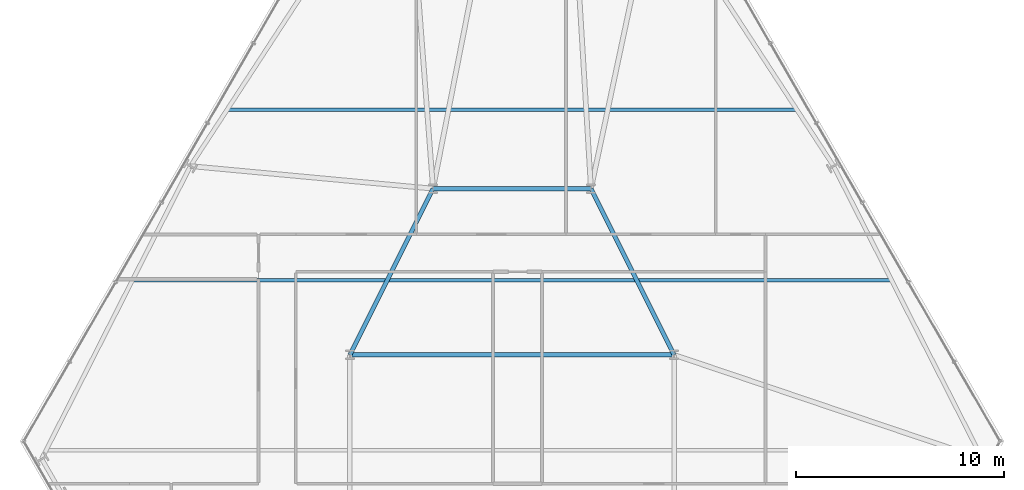
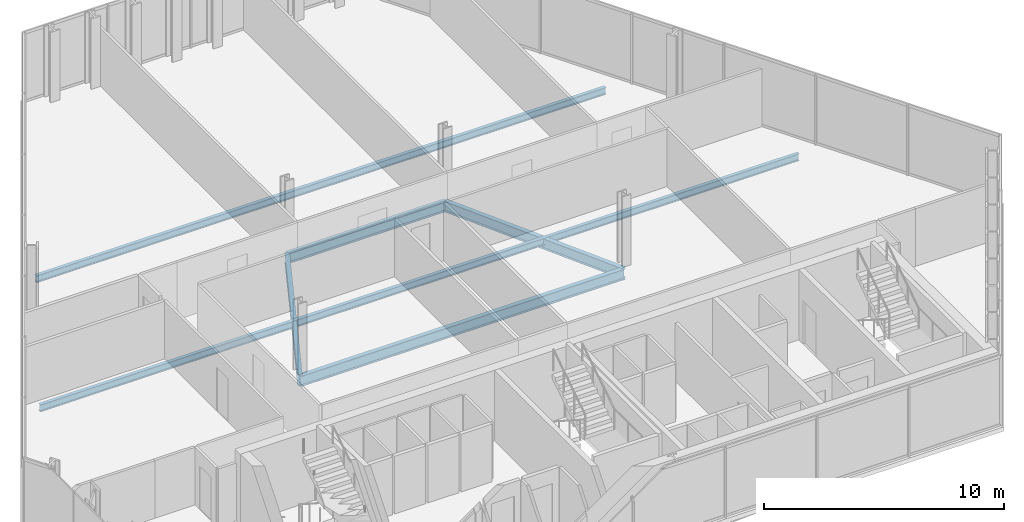
# One storey, part 13 of 32: 6 beams.
"""IFC4 building model written with IfcOpenShell, lengths in metres."""

import ifcopenshell
import ifcopenshell.guid

model = None  # the IFC model being written
_history = None  # IfcOwnerHistory: only IFC2X3 demands one
_inside = {}  # id of a spatial element -> (the spatial element, [elements in it])
_under = {}  # id of a project, library or spatial element -> (it, [spatial elements below it])
_declared = {}  # id of a project -> (the project, [libraries it declares])
_typed = {}  # id of a type object -> (the type object, [elements of that type])
_made_of = {}  # id of a material, layer set ... -> (it, [elements and type objects made of it])


def new_model(schema):
    """Start an empty IFC model of exactly this schema.

    Asked for "IFC4X3", IfcOpenShell would pick the latest addendum, in which some entities
    have other attributes; the version numbers below select the first issue.
    IFC2X3 requires an IfcOwnerHistory on every rooted entity: one is made here for all.
    """
    global model, _history
    if schema == "IFC4X3":
        model = ifcopenshell.file(schema_version=(4, 3, 0, 0))
    else:
        model = ifcopenshell.file(schema=schema)
    _inside.clear()
    _under.clear()
    _declared.clear()
    _typed.clear()
    _made_of.clear()
    _history = None
    if model.schema == "IFC2X3":
        org = make("IfcOrganization", Name="unknown")
        user = make(
            "IfcPersonAndOrganization",
            ThePerson=make("IfcPerson", FamilyName="unknown"),
            TheOrganization=org,
        )
        app = make(
            "IfcApplication",
            ApplicationDeveloper=org,
            Version="unknown",
            ApplicationFullName="unknown",
            ApplicationIdentifier="unknown",
        )
        _history = make(
            "IfcOwnerHistory",
            OwningUser=user,
            OwningApplication=app,
            ChangeAction="ADDED",
            CreationDate=0,
        )
    return model


def make(cls, **values):
    """One entity of the class cls with the attributes given. An attribute that is None is left unset."""
    return model.create_entity(
        cls, **{name: value for name, value in values.items() if value is not None}
    )


def rooted(cls, **values):
    """An entity with a GlobalId (a new one), such as an element, a storey or a relation."""
    return make(cls, GlobalId=ifcopenshell.guid.new(), OwnerHistory=_history, **values)


def si_unit(unit_type, name, prefix=None):
    """IfcSIUnit, for example si_unit("LENGTHUNIT", "METRE", prefix="MILLI")."""
    return make("IfcSIUnit", UnitType=unit_type, Prefix=prefix, Name=name)


def assignment(units):
    """IfcUnitAssignment: the units of a project."""
    return None if units is None else make("IfcUnitAssignment", Units=units)


def point(xyz):
    """IfcCartesianPoint."""
    return None if xyz is None else make("IfcCartesianPoint", Coordinates=xyz)


def direction(xyz):
    """IfcDirection."""
    return None if xyz is None else make("IfcDirection", DirectionRatios=xyz)


def frame(location, z_axis=None, x_axis=None):
    """IfcAxis2Placement3D, a coordinate frame: its origin and axes. An axis left out is left unset."""
    return make(
        "IfcAxis2Placement3D",
        Location=point(location),
        Axis=direction(z_axis),
        RefDirection=direction(x_axis),
    )


def frame_2d(location, x_axis=None):
    """IfcAxis2Placement2D, a coordinate frame in the plane: its origin and x axis."""
    return make(
        "IfcAxis2Placement2D", Location=point(location), RefDirection=direction(x_axis)
    )


def origin():
    """The frame at (0, 0, 0) with its axes left unset."""
    return frame((0.0, 0.0, 0.0))


def origin_2d():
    """The frame at (0, 0) in the plane with its x axis left unset."""
    return frame_2d((0.0, 0.0))


def place(relative_to, where):
    """IfcLocalPlacement: puts the frame where relative to a parent placement (None: the world)."""
    return make(
        "IfcLocalPlacement", PlacementRelTo=relative_to, RelativePlacement=where
    )


def context(
    kind, dimensions, precision=None, world=None, true_north=None, identifier=None
):
    """IfcGeometricRepresentationContext, for example the 3D "Model" context."""
    return make(
        "IfcGeometricRepresentationContext",
        ContextIdentifier=identifier,
        ContextType=kind,
        CoordinateSpaceDimension=dimensions,
        Precision=precision,
        WorldCoordinateSystem=world,
        TrueNorth=true_north,
    )


def subcontext(parent, identifier, kind, view, scale=None):
    """IfcGeometricRepresentationSubContext, for example "Body" below "Model"."""
    return make(
        "IfcGeometricRepresentationSubContext",
        ContextIdentifier=identifier,
        ContextType=kind,
        ParentContext=parent,
        TargetScale=scale,
        TargetView=view,
    )


def project(units=None, contexts=None):
    """IfcProject with its units and contexts."""
    return rooted(
        "IfcProject",
        Name="project",
        RepresentationContexts=contexts,
        UnitsInContext=assignment(units),
    )


def spatial(cls, under=None, at=None, **own):
    """A site, building, storey or space (cls), placed at a placement, below another one or the project."""
    s = rooted(cls, ObjectPlacement=at, **own)
    if under is not None:
        _under.setdefault(under.id(), (under, []))[1].append(s)
    return s


def profile(cls, at=None, kind="AREA", **sizes):
    """A parametric profile (cls). Its sizes go by their IFC names, for example OverallWidth=200.0."""
    return make(cls, ProfileType=kind, Position=at, **sizes)


def i_section(**sizes):
    """IfcIShapeProfileDef."""
    return profile("IfcIShapeProfileDef", **sizes)


def extrude(swept, where, along, depth):
    """IfcExtrudedAreaSolid: the profile swept, set in the frame where, extruded along a direction by depth."""
    return make(
        "IfcExtrudedAreaSolid",
        SweptArea=swept,
        Position=where,
        ExtrudedDirection=direction(along),
        Depth=depth,
    )


def shape(context_of_items, identifier, shape_type, items):
    """IfcShapeRepresentation: the items that make up one representation, for example the "Body"."""
    return make(
        "IfcShapeRepresentation",
        ContextOfItems=context_of_items,
        RepresentationIdentifier=identifier,
        RepresentationType=shape_type,
        Items=items,
    )


def material(Name=None, Category=None):
    """IfcMaterial."""
    return make("IfcMaterial", Name=Name, Category=Category)


def material_profile(
    of_material, cross_section, Name=None, Category=None, Priority=None
):
    """IfcMaterialProfile: a cross section and its material."""
    return make(
        "IfcMaterialProfile",
        Name=Name,
        Material=of_material,
        Profile=cross_section,
        Priority=Priority,
        Category=Category,
    )


def profile_set(profiles, Name=None, composite=None):
    """IfcMaterialProfileSet."""
    return make(
        "IfcMaterialProfileSet",
        Name=Name,
        MaterialProfiles=profiles,
        CompositeProfile=composite,
    )


def made_of(thing, what):
    """Note that an element or type object is made of a material, layer set ...; save() writes the relation."""
    if what is not None:
        _made_of.setdefault(what.id(), (what, []))[1].append(thing)
    return thing


def type_object(cls, material=None, **own):
    """A type object (cls), such as IfcWallType, which elements share."""
    return made_of(rooted(cls, **own), material)


def element(
    cls,
    number,
    at=None,
    inside=None,
    cuts=None,
    type_object=None,
    material=None,
    context=None,
    identifier="Body",
    shape_type=None,
    held_by="IfcProductDefinitionShape",
    body=None,
    shapes=None,
    **own,
):
    """One element of the class cls, such as IfcWall. Its Tag is "e" and its number.

    at: its placement. inside: the storey or other place that contains it. cuts: it is an
    opening in that element (IfcRelVoidsElement). A single representation is given by context,
    identifier, shape_type and body (its items); several are given by shapes. held_by: the class
    of the entity that holds the representations. save() writes the other relations.
    """
    e = rooted(cls, Tag="e%d" % number, ObjectPlacement=at, **own)
    if body is not None:
        shapes = [shape(context, identifier, shape_type, body)]
    if shapes is not None:
        e.Representation = make(held_by, Representations=shapes)
    if inside is not None:
        _inside.setdefault(inside.id(), (inside, []))[1].append(e)
    if cuts is not None:
        rooted(
            "IfcRelVoidsElement", RelatingBuildingElement=cuts, RelatedOpeningElement=e
        )
    if type_object is not None:
        _typed.setdefault(type_object.id(), (type_object, []))[1].append(e)
    return made_of(e, material)


def aggregate(whole, parts):
    """IfcRelAggregates: a whole, such as a stair, and the parts it consists of."""
    return rooted("IfcRelAggregates", RelatingObject=whole, RelatedObjects=parts)


def save(model, path):
    """Write the relations noted so far, then the file.

    IfcRelAggregates (storeys below a building ...), IfcRelContainedInSpatialStructure (elements
    in a storey), IfcRelDefinesByType, IfcRelAssociatesMaterial and IfcRelDeclares: one each for
    every whole, place, type object, material and project.
    """
    for whole, parts in _under.values():
        aggregate(whole, parts)
    for where, things in _inside.values():
        rooted(
            "IfcRelContainedInSpatialStructure",
            RelatedElements=things,
            RelatingStructure=where,
        )
    for kind, things in _typed.values():
        rooted("IfcRelDefinesByType", RelatedObjects=things, RelatingType=kind)
    for what, things in _made_of.values():
        rooted("IfcRelAssociatesMaterial", RelatedObjects=things, RelatingMaterial=what)
    for by, libraries in _declared.values():
        rooted("IfcRelDeclares", RelatingContext=by, RelatedDefinitions=libraries)
    model.write(path)


model = new_model("IFC4")

# Units and contexts
model_context = context("Model", 3, precision=1e-05, world=origin(), true_north=direction((0.0, 1.0)))
body_context = subcontext(model_context, "Body", "Model", "MODEL_VIEW")
ifc_project = project(units=[si_unit("LENGTHUNIT", "METRE"), si_unit("AREAUNIT", "SQUARE_METRE"), si_unit("VOLUMEUNIT", "CUBIC_METRE"), si_unit("PLANEANGLEUNIT", "RADIAN"), si_unit("MASSUNIT", "GRAM", prefix="KILO")], contexts=[model_context])

# Site, building, storey
site_placement = place(None, origin())
site = spatial("IfcSite", under=ifc_project, at=site_placement, CompositionType="ELEMENT")
building_placement = place(site_placement, origin())
building = spatial("IfcBuilding", under=site, at=building_placement, Name="Ndaravel Arena Tower", CompositionType="ELEMENT")
storey_placement = place(building_placement, frame((0.0, 0.0, 51.199951171875)))
storey = spatial("IfcBuildingStorey", under=building, at=storey_placement, Name="L10", CompositionType="ELEMENT", Elevation=51.199951171875)

# Beams
ifc_material_1 = material(Name="Steel S355", Category="steel")
ifc_material_profile_1 = material_profile(ifc_material_1, i_section(OverallWidth=0.210693359375, OverallDepth=0.53955078125, WebThickness=0.01171875, FlangeThickness=0.018798828125, FilletRadius=0.0126953125, at=origin_2d()), Name="UB 533x210x109")
ifc_profile_set_1 = profile_set([ifc_material_profile_1], Name="Steel S355")
beam_type_1 = type_object("IfcBeamType", Name="BM-GIRD-UB533", PredefinedType="BEAM", material=ifc_profile_set_1)
beam_1_placement = place(storey_placement, frame((34.199951171875, 23.199951171875, -0.48974609375), z_axis=(1.0, 0.0, 0.0), x_axis=(0.0, 1.0, 0.0)))
element("IfcBeam", 1, at=beam_1_placement, inside=storey, type_object=beam_type_1, Name="L10 Spine Link Girder SLG-03", PredefinedType="BEAM", context=body_context, shape_type="SweptSolid", body=[
    extrude(i_section(OverallWidth=0.210693359375, OverallDepth=0.53955078125, WebThickness=0.01171875, FlangeThickness=0.018798828125, FilletRadius=0.0126953125, at=origin_2d()), origin(), (0.0, 0.0, 1.0), 15.60009765625),
])
for number, where, z_axis, x_axis, name in (
    (2, (34.199951171875, 23.199951171875, -0.48974609375), (0.4472135955, 0.894427191, 0.0), (-0.894427191, 0.4472135955, 0.0), "L10 Spine Link Girder SLG-04"),
    (3, (49.800048828125, 23.199951171875, -0.48974609375), (-0.4472135955, 0.894427191, 0.0), (-0.894427191, -0.4472135955, 0.0), "L10 Spine Link Girder SLG-05"),
):
    element("IfcBeam", number, at=place(storey_placement, frame(where, z_axis=z_axis, x_axis=x_axis)), inside=storey, type_object=beam_type_1, Name=name, PredefinedType="BEAM", context=body_context, shape_type="SweptSolid", body=[
        extrude(i_section(OverallWidth=0.210693359375, OverallDepth=0.53955078125, WebThickness=0.01171875, FlangeThickness=0.018798828125, FilletRadius=0.0126953125, at=origin_2d()), origin(), (0.0, 0.0, 1.0), 8.9443359375),
    ])
beam_2_placement = place(storey_placement, frame((38.199951171875, 31.199951171875, -0.48974609375), z_axis=(1.0, 0.0, 0.0), x_axis=(0.0, 1.0, 0.0)))
element("IfcBeam", 4, at=beam_2_placement, inside=storey, type_object=beam_type_1, Name="L10 Spine Link Girder SLG-06", PredefinedType="BEAM", context=body_context, shape_type="SweptSolid", body=[
    extrude(i_section(OverallWidth=0.210693359375, OverallDepth=0.53955078125, WebThickness=0.01171875, FlangeThickness=0.018798828125, FilletRadius=0.0126953125, at=origin_2d()), origin(), (0.0, 0.0, 1.0), 7.60009765625),
])
ifc_material_2 = material(Name="Steel S355", Category="steel")
ifc_material_profile_2 = material_profile(ifc_material_2, i_section(OverallWidth=0.169921875, OverallDepth=0.360107421875, WebThickness=0.008056640625, FlangeThickness=0.0126953125, FilletRadius=0.01806640625, at=origin_2d()), Name="IPE 360")
ifc_profile_set_2 = profile_set([ifc_material_profile_2], Name="Steel S355")
beam_type_2 = type_object("IfcBeamType", Name="BM-JOIST-IPE360", PredefinedType="JOIST", material=ifc_profile_set_2)
beam_3_placement = place(storey_placement, frame((23.73779296875, 26.800048828125, -0.39990234375), z_axis=(1.0, 0.0, 0.0), x_axis=(0.0, 1.0, 0.0)))
element("IfcBeam", 5, at=beam_3_placement, inside=storey, type_object=beam_type_2, Name="L10 Composite Floor Joist FJ-02", PredefinedType="JOIST", context=body_context, shape_type="SweptSolid", body=[
    extrude(i_section(OverallWidth=0.169921875, OverallDepth=0.360107421875, WebThickness=0.008056640625, FlangeThickness=0.0126953125, FilletRadius=0.01806640625, at=origin_2d()), origin(), (0.0, 0.0, 1.0), 36.5244140625),
])
beam_4_placement = place(storey_placement, frame((28.29150390625, 35.0, -0.39990234375), z_axis=(1.0, 0.0, 0.0), x_axis=(0.0, 1.0, 0.0)))
element("IfcBeam", 6, at=beam_4_placement, inside=storey, type_object=beam_type_2, Name="L10 Composite Floor Joist FJ-03", PredefinedType="JOIST", context=body_context, shape_type="SweptSolid", body=[
    extrude(i_section(OverallWidth=0.169921875, OverallDepth=0.360107421875, WebThickness=0.008056640625, FlangeThickness=0.0126953125, FilletRadius=0.01806640625, at=origin_2d()), origin(), (0.0, 0.0, 1.0), 27.4169921875),
])

save(model, "model.ifc")
